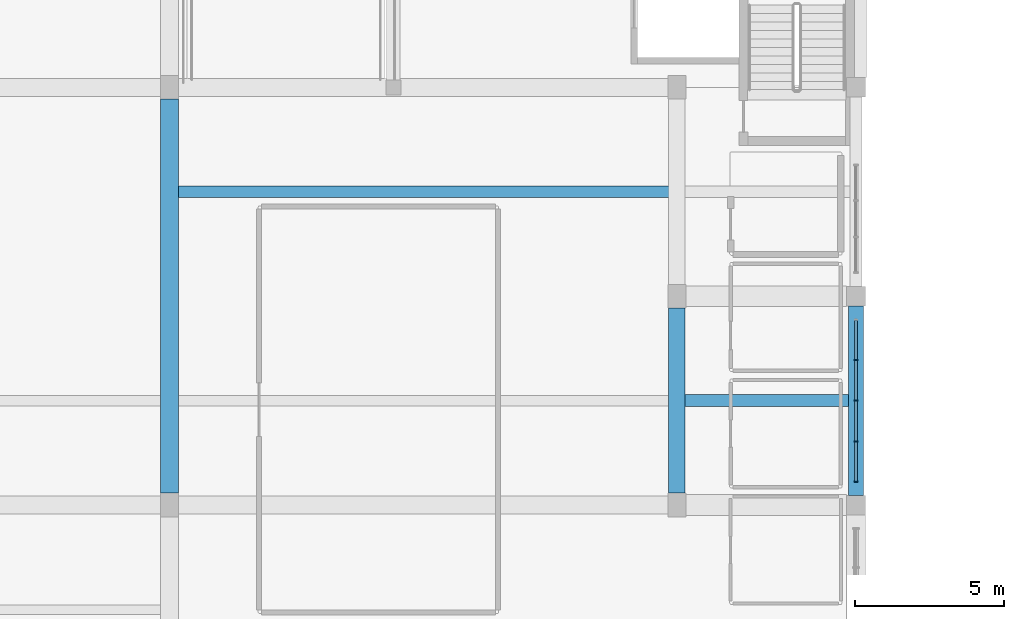
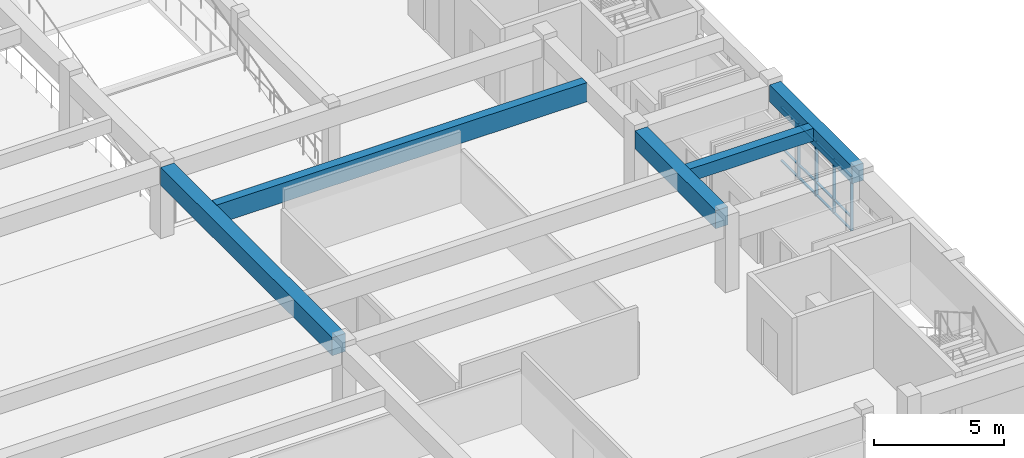
# One storey, part 37 of 77: 16 members, 5 beams, 1 element without a shape of its own.
"""IFC4 building model written with IfcOpenShell, lengths in metres."""

from ifc_helpers import new_model, si_unit, direction, frame, origin, origin_2d, place, context, subcontext, project, spatial, rectangle, extrude, material, material_profile, profile_set, type_object, element, aggregate, save


model = new_model("IFC4")

# Units and contexts
model_context = context("Model", 3, precision=1e-05, world=origin(), true_north=direction((0.0, 1.0)))
body_context = subcontext(model_context, "Body", "Model", "MODEL_VIEW")
ifc_project = project(units=[si_unit("LENGTHUNIT", "METRE"), si_unit("AREAUNIT", "SQUARE_METRE"), si_unit("VOLUMEUNIT", "CUBIC_METRE"), si_unit("PLANEANGLEUNIT", "RADIAN"), si_unit("MASSUNIT", "GRAM", prefix="KILO")], contexts=[model_context])

# Site, building, storey
site_placement = place(None, origin())
site = spatial("IfcSite", under=ifc_project, at=site_placement, CompositionType="ELEMENT")
building_placement = place(site_placement, origin())
building = spatial("IfcBuilding", under=site, at=building_placement, Name="Larkveld Mobility Hub", CompositionType="ELEMENT")
storey_placement = place(building_placement, frame((0.0, 0.0, 12.0)))
storey = spatial("IfcBuildingStorey", under=building, at=storey_placement, Name="L03", CompositionType="ELEMENT", Elevation=12.0)

# Beams
ifc_material_1 = material(Name="Precast concrete C50/60", Category="concrete")
ifc_material_profile_1 = material_profile(ifc_material_1, rectangle(XDim=0.3798828125, YDim=0.89990234375, at=origin_2d()), Name="PC DT 380x900")
ifc_profile_set_1 = profile_set([ifc_material_profile_1], Name="Precast concrete C50/60")
beam_type_1 = type_object("IfcBeamType", Name="BM-DT3890", PredefinedType="T_BEAM", material=ifc_profile_set_1)
beam_1_placement = place(storey_placement, frame((129.294921875, 52.5, 2.919921875), z_axis=(1.0, 0.0, 0.0), x_axis=(0.0, 1.0, 0.0)))
element("IfcBeam", 1, at=beam_1_placement, inside=storey, type_object=beam_type_1, Name="Precast Double-Tee Stem L03-1114", PredefinedType="T_BEAM", context=body_context, shape_type="SweptSolid", body=[
    extrude(rectangle(XDim=0.3798828125, YDim=0.89990234375, at=origin_2d()), origin(), (0.0, 0.0, 1.0), 16.43505859375),
])
ifc_material_profile_2 = material_profile(ifc_material_1, rectangle(XDim=0.60009765625, YDim=0.85009765625, at=origin_2d()), Name="PC ITB 600x850")
ifc_profile_set_2 = profile_set([ifc_material_profile_2], Name="Precast concrete C50/60")
beam_type_2 = type_object("IfcBeamType", Name="BM-ITB6085", PredefinedType="T_BEAM", material=ifc_profile_set_2)
beam_2_placement = place(storey_placement, frame((129.0, 42.39990234375, 2.93505859375), z_axis=(0.0, 1.0, 0.0), x_axis=(-1.0, 0.0, 0.0)))
element("IfcBeam", 2, at=beam_2_placement, inside=storey, type_object=beam_type_2, Name="Primary N-S Girder L03-0815", PredefinedType="T_BEAM", context=body_context, shape_type="SweptSolid", body=[
    extrude(rectangle(XDim=0.60009765625, YDim=0.85009765625, at=origin_2d()), origin(), (0.0, 0.0, 1.0), 13.2001953125),
])
ifc_material_2 = material(Name="Concrete C40/50", Category="concrete")
ifc_material_profile_3 = material_profile(ifc_material_2, rectangle(XDim=0.39990234375, YDim=0.60009765625, at=origin_2d()), Name="RC BM 400x600")
ifc_profile_set_3 = profile_set([ifc_material_profile_3], Name="Concrete C40/50")
beam_type_3 = type_object("IfcBeamType", Name="BM-RC4060", PredefinedType="BEAM", material=ifc_profile_set_3)
beam_3_placement = place(storey_placement, frame((146.27001953125, 45.5, 3.070068359375), z_axis=(1.0, 0.0, 0.0), x_axis=(0.0, 1.0, 0.0)))
element("IfcBeam", 3, at=beam_3_placement, inside=storey, type_object=beam_type_3, Name="Concourse Spine Joist L03-1113", PredefinedType="BEAM", context=body_context, shape_type="SweptSolid", body=[
    extrude(rectangle(XDim=0.39990234375, YDim=0.60009765625, at=origin_2d()), origin(), (0.0, 0.0, 1.0), 5.48486328125),
])
ifc_material_profile_4 = material_profile(ifc_material_2, rectangle(XDim=0.5, YDim=0.800048828125, at=origin_2d()), Name="RC BM 500x800")
ifc_profile_set_4 = profile_set([ifc_material_profile_4], Name="Concrete C40/50")
beam_type_4 = type_object("IfcBeamType", Name="BM-RC5080", PredefinedType="BEAM", material=ifc_profile_set_4)
beam_4_placement = place(storey_placement, frame((152.0, 42.324951171875, 2.9599609375), z_axis=(0.0, 1.0, 0.0), x_axis=(-1.0, 0.0, 0.0)))
element("IfcBeam", 4, at=beam_4_placement, inside=storey, type_object=beam_type_4, Name="Primary N-S Girder L03-0839", PredefinedType="BEAM", context=body_context, shape_type="SweptSolid", body=[
    extrude(rectangle(XDim=0.5, YDim=0.800048828125, at=origin_2d()), origin(), (0.0, 0.0, 1.0), 6.35009765625),
])
ifc_material_profile_5 = material_profile(ifc_material_2, rectangle(XDim=0.550048828125, YDim=0.85009765625, at=origin_2d()), Name="RC BM 550x850")
ifc_profile_set_5 = profile_set([ifc_material_profile_5], Name="Concrete C40/50")
beam_type_5 = type_object("IfcBeamType", Name="BM-RC5585", PredefinedType="BEAM", material=ifc_profile_set_5)
beam_5_placement = place(storey_placement, frame((146.0, 42.39990234375, 2.93505859375), z_axis=(0.0, 1.0, 0.0), x_axis=(-1.0, 0.0, 0.0)))
element("IfcBeam", 5, at=beam_5_placement, inside=storey, type_object=beam_type_5, Name="Primary N-S Girder L03-0828", PredefinedType="BEAM", context=body_context, shape_type="SweptSolid", body=[
    extrude(rectangle(XDim=0.550048828125, YDim=0.85009765625, at=origin_2d()), origin(), (0.0, 0.0, 1.0), 6.2001953125),
])

# Curtain wall, members
ifc_material_3 = material(Name="Anodised aluminium 6063-T6", Category="aluminium")
curtain_wall_type = type_object("IfcCurtainWallType", Name="CW-SYS-04", PredefinedType="NOTDEFINED", material=ifc_material_3)
curtain_wall_placement = place(storey_placement, origin())
curtain_wall = element("IfcCurtainWall", 6, at=curtain_wall_placement, inside=storey, type_object=curtain_wall_type, Name="Upper Mobility and Sports East Glazing L03 CW-148", PredefinedType="NOTDEFINED")
ifc_material_profile_6 = material_profile(ifc_material_3, rectangle(XDim=0.050048828125, YDim=0.1298828125, at=origin_2d()), Name="ALU MULL 50x130")
ifc_profile_set_6 = profile_set([ifc_material_profile_6], Name="Anodised aluminium 6063-T6")
member_type_1 = type_object("IfcMemberType", Name="CW-MUL-04", PredefinedType="MULLION", material=ifc_profile_set_6)
member_1_placement = place(storey_placement, frame((152.0, 42.7900390625, -0.001953125), z_axis=(0.0, 0.0, 1.0), x_axis=(0.0, 1.0, 0.0)))
member_1 = element("IfcMember", 7, at=member_1_placement, type_object=member_type_1, Name="CW04 mullion 1", PredefinedType="MULLION", context=body_context, shape_type="SweptSolid", body=[
    extrude(rectangle(XDim=0.050048828125, YDim=0.1298828125, at=origin_2d()), origin(), (0.0, 0.0, 1.0), 2.56201171875),
])
member_2_placement = place(storey_placement, frame((152.0, 44.133056640625, -0.001953125), z_axis=(0.0, 0.0, 1.0), x_axis=(0.0, 1.0, 0.0)))
member_2 = element("IfcMember", 8, at=member_2_placement, type_object=member_type_1, Name="CW04 mullion 2", PredefinedType="MULLION", context=body_context, shape_type="SweptSolid", body=[
    extrude(rectangle(XDim=0.050048828125, YDim=0.1298828125, at=origin_2d()), origin(), (0.0, 0.0, 1.0), 2.56201171875),
])
member_3_placement = place(storey_placement, frame((152.0, 45.5, -0.001953125), z_axis=(0.0, 0.0, 1.0), x_axis=(0.0, 1.0, 0.0)))
member_3 = element("IfcMember", 9, at=member_3_placement, type_object=member_type_1, Name="CW04 mullion 3", PredefinedType="MULLION", context=body_context, shape_type="SweptSolid", body=[
    extrude(rectangle(XDim=0.050048828125, YDim=0.1298828125, at=origin_2d()), origin(), (0.0, 0.0, 1.0), 2.56201171875),
])
member_4_placement = place(storey_placement, frame((152.0, 46.866943359375, -0.001953125), z_axis=(0.0, 0.0, 1.0), x_axis=(0.0, 1.0, 0.0)))
member_4 = element("IfcMember", 10, at=member_4_placement, type_object=member_type_1, Name="CW04 mullion 4", PredefinedType="MULLION", context=body_context, shape_type="SweptSolid", body=[
    extrude(rectangle(XDim=0.050048828125, YDim=0.1298828125, at=origin_2d()), origin(), (0.0, 0.0, 1.0), 2.56201171875),
])
ifc_material_profile_7 = material_profile(ifc_material_3, rectangle(XDim=0.10009765625, YDim=0.050048828125, at=origin_2d()), Name="ALU TRAN 50x100")
ifc_profile_set_7 = profile_set([ifc_material_profile_7], Name="Anodised aluminium 6063-T6")
member_type_2 = type_object("IfcMemberType", Name="CW-TRN-04", PredefinedType="USERDEFINED", material=ifc_profile_set_7)
member_5_placement = place(storey_placement, frame((152.0, 42.800048828125, 0.030029296875), z_axis=(0.0, 1.0, 0.0), x_axis=(-1.0, 0.0, 0.0)))
member_5 = element("IfcMember", 11, at=member_5_placement, type_object=member_type_2, Name="CW04 transom 1.1", ObjectType="TRANSOM", PredefinedType="USERDEFINED", context=body_context, shape_type="SweptSolid", body=[
    extrude(rectangle(XDim=0.10009765625, YDim=0.050048828125, at=origin_2d()), origin(), (0.0, 0.0, 1.0), 1.31689453125),
])
member_6_placement = place(storey_placement, frame((152.0, 42.800048828125, 0.638916015625), z_axis=(0.0, 1.0, 0.0), x_axis=(-1.0, 0.0, 0.0)))
member_6 = element("IfcMember", 12, at=member_6_placement, type_object=member_type_2, Name="CW04 transom 1.2", ObjectType="TRANSOM", PredefinedType="USERDEFINED", context=body_context, shape_type="SweptSolid", body=[
    extrude(rectangle(XDim=0.10009765625, YDim=0.050048828125, at=origin_2d()), origin(), (0.0, 0.0, 1.0), 1.31689453125),
])
member_7_placement = place(storey_placement, frame((152.0, 42.800048828125, 2.528076171875), z_axis=(0.0, 1.0, 0.0), x_axis=(-1.0, 0.0, 0.0)))
member_7 = element("IfcMember", 13, at=member_7_placement, type_object=member_type_2, Name="CW04 transom 1.3", ObjectType="TRANSOM", PredefinedType="USERDEFINED", context=body_context, shape_type="SweptSolid", body=[
    extrude(rectangle(XDim=0.10009765625, YDim=0.050048828125, at=origin_2d()), origin(), (0.0, 0.0, 1.0), 1.31689453125),
])
member_8_placement = place(storey_placement, frame((152.0, 44.14794921875, 0.030029296875), z_axis=(0.0, 1.0, 0.0), x_axis=(-1.0, 0.0, 0.0)))
member_8 = element("IfcMember", 14, at=member_8_placement, type_object=member_type_2, Name="CW04 transom 2.1", ObjectType="TRANSOM", PredefinedType="USERDEFINED", context=body_context, shape_type="SweptSolid", body=[
    extrude(rectangle(XDim=0.10009765625, YDim=0.050048828125, at=origin_2d()), origin(), (0.0, 0.0, 1.0), 1.337158203125),
])
member_9_placement = place(storey_placement, frame((152.0, 44.14794921875, 0.638916015625), z_axis=(0.0, 1.0, 0.0), x_axis=(-1.0, 0.0, 0.0)))
member_9 = element("IfcMember", 15, at=member_9_placement, type_object=member_type_2, Name="CW04 transom 2.2", ObjectType="TRANSOM", PredefinedType="USERDEFINED", context=body_context, shape_type="SweptSolid", body=[
    extrude(rectangle(XDim=0.10009765625, YDim=0.050048828125, at=origin_2d()), origin(), (0.0, 0.0, 1.0), 1.337158203125),
])
member_10_placement = place(storey_placement, frame((152.0, 44.14794921875, 2.528076171875), z_axis=(0.0, 1.0, 0.0), x_axis=(-1.0, 0.0, 0.0)))
member_10 = element("IfcMember", 16, at=member_10_placement, type_object=member_type_2, Name="CW04 transom 2.3", ObjectType="TRANSOM", PredefinedType="USERDEFINED", context=body_context, shape_type="SweptSolid", body=[
    extrude(rectangle(XDim=0.10009765625, YDim=0.050048828125, at=origin_2d()), origin(), (0.0, 0.0, 1.0), 1.337158203125),
])
member_11_placement = place(storey_placement, frame((152.0, 45.514892578125, 0.030029296875), z_axis=(0.0, 1.0, 0.0), x_axis=(-1.0, 0.0, 0.0)))
member_11 = element("IfcMember", 17, at=member_11_placement, type_object=member_type_2, Name="CW04 transom 3.1", ObjectType="TRANSOM", PredefinedType="USERDEFINED", context=body_context, shape_type="SweptSolid", body=[
    extrude(rectangle(XDim=0.10009765625, YDim=0.050048828125, at=origin_2d()), origin(), (0.0, 0.0, 1.0), 1.338134765625),
])
member_12_placement = place(storey_placement, frame((152.0, 45.514892578125, 0.638916015625), z_axis=(0.0, 1.0, 0.0), x_axis=(-1.0, 0.0, 0.0)))
member_12 = element("IfcMember", 18, at=member_12_placement, type_object=member_type_2, Name="CW04 transom 3.2", ObjectType="TRANSOM", PredefinedType="USERDEFINED", context=body_context, shape_type="SweptSolid", body=[
    extrude(rectangle(XDim=0.10009765625, YDim=0.050048828125, at=origin_2d()), origin(), (0.0, 0.0, 1.0), 1.338134765625),
])
member_13_placement = place(storey_placement, frame((152.0, 45.514892578125, 2.528076171875), z_axis=(0.0, 1.0, 0.0), x_axis=(-1.0, 0.0, 0.0)))
member_13 = element("IfcMember", 19, at=member_13_placement, type_object=member_type_2, Name="CW04 transom 3.3", ObjectType="TRANSOM", PredefinedType="USERDEFINED", context=body_context, shape_type="SweptSolid", body=[
    extrude(rectangle(XDim=0.10009765625, YDim=0.050048828125, at=origin_2d()), origin(), (0.0, 0.0, 1.0), 1.338134765625),
])
member_14_placement = place(storey_placement, frame((152.0, 46.883056640625, 0.030029296875), z_axis=(0.0, 1.0, 0.0), x_axis=(-1.0, 0.0, 0.0)))
member_14 = element("IfcMember", 20, at=member_14_placement, type_object=member_type_2, Name="CW04 transom 4.1", ObjectType="TRANSOM", PredefinedType="USERDEFINED", context=body_context, shape_type="SweptSolid", body=[
    extrude(rectangle(XDim=0.10009765625, YDim=0.050048828125, at=origin_2d()), origin(), (0.0, 0.0, 1.0), 1.31689453125),
])
member_15_placement = place(storey_placement, frame((152.0, 46.883056640625, 0.638916015625), z_axis=(0.0, 1.0, 0.0), x_axis=(-1.0, 0.0, 0.0)))
member_15 = element("IfcMember", 21, at=member_15_placement, type_object=member_type_2, Name="CW04 transom 4.2", ObjectType="TRANSOM", PredefinedType="USERDEFINED", context=body_context, shape_type="SweptSolid", body=[
    extrude(rectangle(XDim=0.10009765625, YDim=0.050048828125, at=origin_2d()), origin(), (0.0, 0.0, 1.0), 1.31689453125),
])
member_16_placement = place(storey_placement, frame((152.0, 46.883056640625, 2.528076171875), z_axis=(0.0, 1.0, 0.0), x_axis=(-1.0, 0.0, 0.0)))
member_16 = element("IfcMember", 22, at=member_16_placement, type_object=member_type_2, Name="CW04 transom 4.3", ObjectType="TRANSOM", PredefinedType="USERDEFINED", context=body_context, shape_type="SweptSolid", body=[
    extrude(rectangle(XDim=0.10009765625, YDim=0.050048828125, at=origin_2d()), origin(), (0.0, 0.0, 1.0), 1.31689453125),
])
aggregate(curtain_wall, [member_1, member_2, member_3, member_4, member_5, member_6, member_7, member_8, member_9, member_10, member_11, member_12, member_13, member_14, member_15, member_16])

save(model, "model.ifc")
